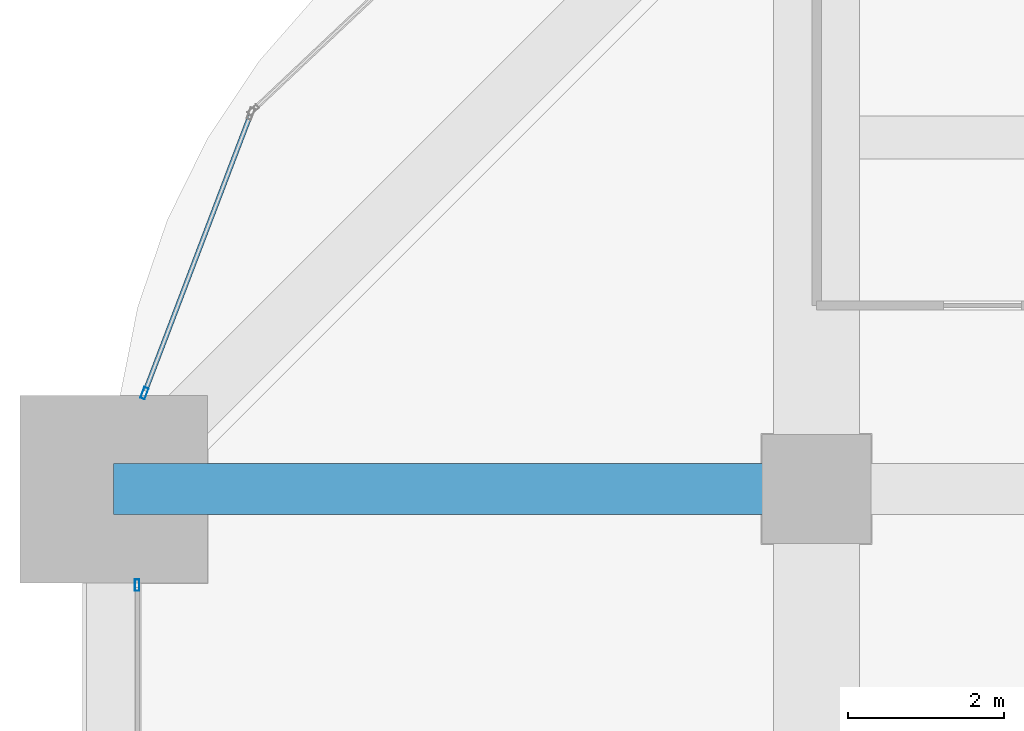
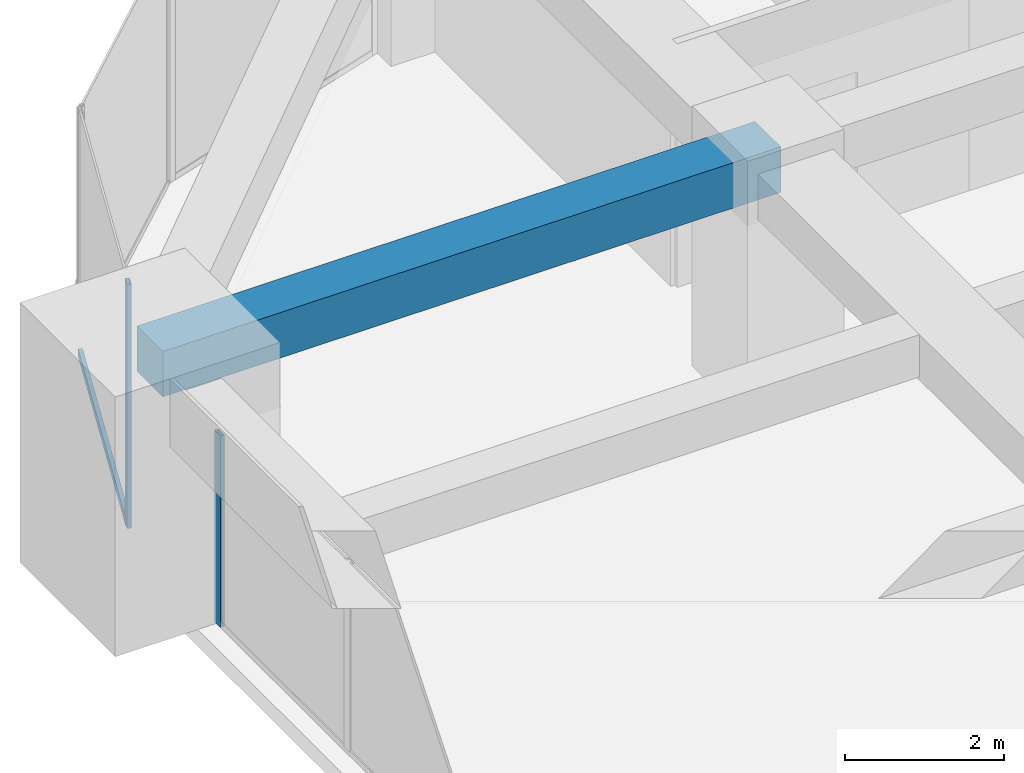
# One storey, part 20 of 33: 3 members, 1 beam, 2 elements without a shape of their own.
"""IFC4 building model written with IfcOpenShell, lengths in metres."""

import ifcopenshell
import ifcopenshell.guid

model = None  # the IFC model being written
_history = None  # IfcOwnerHistory: only IFC2X3 demands one
_inside = {}  # id of a spatial element -> (the spatial element, [elements in it])
_under = {}  # id of a project, library or spatial element -> (it, [spatial elements below it])
_declared = {}  # id of a project -> (the project, [libraries it declares])
_typed = {}  # id of a type object -> (the type object, [elements of that type])
_made_of = {}  # id of a material, layer set ... -> (it, [elements and type objects made of it])


def new_model(schema):
    """Start an empty IFC model of exactly this schema.

    Asked for "IFC4X3", IfcOpenShell would pick the latest addendum, in which some entities
    have other attributes; the version numbers below select the first issue.
    IFC2X3 requires an IfcOwnerHistory on every rooted entity: one is made here for all.
    """
    global model, _history
    if schema == "IFC4X3":
        model = ifcopenshell.file(schema_version=(4, 3, 0, 0))
    else:
        model = ifcopenshell.file(schema=schema)
    _inside.clear()
    _under.clear()
    _declared.clear()
    _typed.clear()
    _made_of.clear()
    _history = None
    if model.schema == "IFC2X3":
        org = make("IfcOrganization", Name="unknown")
        user = make(
            "IfcPersonAndOrganization",
            ThePerson=make("IfcPerson", FamilyName="unknown"),
            TheOrganization=org,
        )
        app = make(
            "IfcApplication",
            ApplicationDeveloper=org,
            Version="unknown",
            ApplicationFullName="unknown",
            ApplicationIdentifier="unknown",
        )
        _history = make(
            "IfcOwnerHistory",
            OwningUser=user,
            OwningApplication=app,
            ChangeAction="ADDED",
            CreationDate=0,
        )
    return model


def make(cls, **values):
    """One entity of the class cls with the attributes given. An attribute that is None is left unset."""
    return model.create_entity(
        cls, **{name: value for name, value in values.items() if value is not None}
    )


def rooted(cls, **values):
    """An entity with a GlobalId (a new one), such as an element, a storey or a relation."""
    return make(cls, GlobalId=ifcopenshell.guid.new(), OwnerHistory=_history, **values)


def si_unit(unit_type, name, prefix=None):
    """IfcSIUnit, for example si_unit("LENGTHUNIT", "METRE", prefix="MILLI")."""
    return make("IfcSIUnit", UnitType=unit_type, Prefix=prefix, Name=name)


def assignment(units):
    """IfcUnitAssignment: the units of a project."""
    return None if units is None else make("IfcUnitAssignment", Units=units)


def point(xyz):
    """IfcCartesianPoint."""
    return None if xyz is None else make("IfcCartesianPoint", Coordinates=xyz)


def direction(xyz):
    """IfcDirection."""
    return None if xyz is None else make("IfcDirection", DirectionRatios=xyz)


def frame(location, z_axis=None, x_axis=None):
    """IfcAxis2Placement3D, a coordinate frame: its origin and axes. An axis left out is left unset."""
    return make(
        "IfcAxis2Placement3D",
        Location=point(location),
        Axis=direction(z_axis),
        RefDirection=direction(x_axis),
    )


def frame_2d(location, x_axis=None):
    """IfcAxis2Placement2D, a coordinate frame in the plane: its origin and x axis."""
    return make(
        "IfcAxis2Placement2D", Location=point(location), RefDirection=direction(x_axis)
    )


def origin():
    """The frame at (0, 0, 0) with its axes left unset."""
    return frame((0.0, 0.0, 0.0))


def origin_2d():
    """The frame at (0, 0) in the plane with its x axis left unset."""
    return frame_2d((0.0, 0.0))


def place(relative_to, where):
    """IfcLocalPlacement: puts the frame where relative to a parent placement (None: the world)."""
    return make(
        "IfcLocalPlacement", PlacementRelTo=relative_to, RelativePlacement=where
    )


def context(
    kind, dimensions, precision=None, world=None, true_north=None, identifier=None
):
    """IfcGeometricRepresentationContext, for example the 3D "Model" context."""
    return make(
        "IfcGeometricRepresentationContext",
        ContextIdentifier=identifier,
        ContextType=kind,
        CoordinateSpaceDimension=dimensions,
        Precision=precision,
        WorldCoordinateSystem=world,
        TrueNorth=true_north,
    )


def subcontext(parent, identifier, kind, view, scale=None):
    """IfcGeometricRepresentationSubContext, for example "Body" below "Model"."""
    return make(
        "IfcGeometricRepresentationSubContext",
        ContextIdentifier=identifier,
        ContextType=kind,
        ParentContext=parent,
        TargetScale=scale,
        TargetView=view,
    )


def project(units=None, contexts=None):
    """IfcProject with its units and contexts."""
    return rooted(
        "IfcProject",
        Name="project",
        RepresentationContexts=contexts,
        UnitsInContext=assignment(units),
    )


def spatial(cls, under=None, at=None, **own):
    """A site, building, storey or space (cls), placed at a placement, below another one or the project."""
    s = rooted(cls, ObjectPlacement=at, **own)
    if under is not None:
        _under.setdefault(under.id(), (under, []))[1].append(s)
    return s


def profile(cls, at=None, kind="AREA", **sizes):
    """A parametric profile (cls). Its sizes go by their IFC names, for example OverallWidth=200.0."""
    return make(cls, ProfileType=kind, Position=at, **sizes)


def rectangle(**sizes):
    """IfcRectangleProfileDef."""
    return profile("IfcRectangleProfileDef", **sizes)


def hollow_rectangle(**sizes):
    """IfcRectangleHollowProfileDef."""
    return profile("IfcRectangleHollowProfileDef", **sizes)


def extrude(swept, where, along, depth):
    """IfcExtrudedAreaSolid: the profile swept, set in the frame where, extruded along a direction by depth."""
    return make(
        "IfcExtrudedAreaSolid",
        SweptArea=swept,
        Position=where,
        ExtrudedDirection=direction(along),
        Depth=depth,
    )


def shape(context_of_items, identifier, shape_type, items):
    """IfcShapeRepresentation: the items that make up one representation, for example the "Body"."""
    return make(
        "IfcShapeRepresentation",
        ContextOfItems=context_of_items,
        RepresentationIdentifier=identifier,
        RepresentationType=shape_type,
        Items=items,
    )


def material(Name=None, Category=None):
    """IfcMaterial."""
    return make("IfcMaterial", Name=Name, Category=Category)


def material_profile(
    of_material, cross_section, Name=None, Category=None, Priority=None
):
    """IfcMaterialProfile: a cross section and its material."""
    return make(
        "IfcMaterialProfile",
        Name=Name,
        Material=of_material,
        Profile=cross_section,
        Priority=Priority,
        Category=Category,
    )


def profile_set(profiles, Name=None, composite=None):
    """IfcMaterialProfileSet."""
    return make(
        "IfcMaterialProfileSet",
        Name=Name,
        MaterialProfiles=profiles,
        CompositeProfile=composite,
    )


def made_of(thing, what):
    """Note that an element or type object is made of a material, layer set ...; save() writes the relation."""
    if what is not None:
        _made_of.setdefault(what.id(), (what, []))[1].append(thing)
    return thing


def type_object(cls, material=None, **own):
    """A type object (cls), such as IfcWallType, which elements share."""
    return made_of(rooted(cls, **own), material)


def element(
    cls,
    number,
    at=None,
    inside=None,
    cuts=None,
    type_object=None,
    material=None,
    context=None,
    identifier="Body",
    shape_type=None,
    held_by="IfcProductDefinitionShape",
    body=None,
    shapes=None,
    **own,
):
    """One element of the class cls, such as IfcWall. Its Tag is "e" and its number.

    at: its placement. inside: the storey or other place that contains it. cuts: it is an
    opening in that element (IfcRelVoidsElement). A single representation is given by context,
    identifier, shape_type and body (its items); several are given by shapes. held_by: the class
    of the entity that holds the representations. save() writes the other relations.
    """
    e = rooted(cls, Tag="e%d" % number, ObjectPlacement=at, **own)
    if body is not None:
        shapes = [shape(context, identifier, shape_type, body)]
    if shapes is not None:
        e.Representation = make(held_by, Representations=shapes)
    if inside is not None:
        _inside.setdefault(inside.id(), (inside, []))[1].append(e)
    if cuts is not None:
        rooted(
            "IfcRelVoidsElement", RelatingBuildingElement=cuts, RelatedOpeningElement=e
        )
    if type_object is not None:
        _typed.setdefault(type_object.id(), (type_object, []))[1].append(e)
    return made_of(e, material)


def aggregate(whole, parts):
    """IfcRelAggregates: a whole, such as a stair, and the parts it consists of."""
    return rooted("IfcRelAggregates", RelatingObject=whole, RelatedObjects=parts)


def save(model, path):
    """Write the relations noted so far, then the file.

    IfcRelAggregates (storeys below a building ...), IfcRelContainedInSpatialStructure (elements
    in a storey), IfcRelDefinesByType, IfcRelAssociatesMaterial and IfcRelDeclares: one each for
    every whole, place, type object, material and project.
    """
    for whole, parts in _under.values():
        aggregate(whole, parts)
    for where, things in _inside.values():
        rooted(
            "IfcRelContainedInSpatialStructure",
            RelatedElements=things,
            RelatingStructure=where,
        )
    for kind, things in _typed.values():
        rooted("IfcRelDefinesByType", RelatedObjects=things, RelatingType=kind)
    for what, things in _made_of.values():
        rooted("IfcRelAssociatesMaterial", RelatedObjects=things, RelatingMaterial=what)
    for by, libraries in _declared.values():
        rooted("IfcRelDeclares", RelatingContext=by, RelatedDefinitions=libraries)
    model.write(path)


model = new_model("IFC4")

# Units and contexts
model_context = context("Model", 3, precision=1e-05, world=origin(), true_north=direction((0.0, 1.0)))
body_context = subcontext(model_context, "Body", "Model", "MODEL_VIEW")
ifc_project = project(units=[si_unit("LENGTHUNIT", "METRE"), si_unit("AREAUNIT", "SQUARE_METRE"), si_unit("VOLUMEUNIT", "CUBIC_METRE"), si_unit("PLANEANGLEUNIT", "RADIAN"), si_unit("MASSUNIT", "GRAM", prefix="KILO")], contexts=[model_context])

# Site, building, storey
site_placement = place(None, origin())
site = spatial("IfcSite", under=ifc_project, at=site_placement, CompositionType="ELEMENT")
building_placement = place(site_placement, origin())
building = spatial("IfcBuilding", under=site, at=building_placement, Name="Zorevar Civic Tower", CompositionType="ELEMENT")
storey_placement = place(building_placement, frame((0.0, 0.0, 206.199951171875)))
storey = spatial("IfcBuildingStorey", under=building, at=storey_placement, Name="L50", CompositionType="ELEMENT", Elevation=206.199951171875)

# Beam
ifc_material_1 = material(Name="Concrete C50/60", Category="concrete")
ifc_material_profile_1 = material_profile(ifc_material_1, rectangle(XDim=0.64990234375, YDim=0.699951171875, at=origin_2d()), Name="RC 650x700")
ifc_profile_set_1 = profile_set([ifc_material_profile_1], Name="Concrete C50/60")
beam_type = type_object("IfcBeamType", Name="Beam RC 650x700", PredefinedType="BEAM", material=ifc_profile_set_1)
beam_placement = place(storey_placement, frame((0.0, 36.0, 3.400146484375), z_axis=(1.0, 0.0, 0.0), x_axis=(0.0, 1.0, 0.0)))
element("IfcBeam", 1, at=beam_placement, inside=storey, type_object=beam_type, Name="Girder L51", PredefinedType="BEAM", context=body_context, shape_type="SweptSolid", body=[
    extrude(rectangle(XDim=0.64990234375, YDim=0.699951171875, at=origin_2d()), origin(), (0.0, 0.0, 1.0), 9.0),
])

# Curtain wall, member
ifc_material_2 = material(Name="Dark grey solar-control glass in black aluminium frame", Category="aluminium")
curtain_wall_type = type_object("IfcCurtainWallType", Name="Curtain wall CW4 high zone", PredefinedType="NOTDEFINED", material=ifc_material_2)
curtain_wall_1_placement = place(storey_placement, origin())
curtain_wall_1 = element("IfcCurtainWall", 2, at=curtain_wall_1_placement, inside=storey, type_object=curtain_wall_type, Name="CW4 L50", PredefinedType="NOTDEFINED")
ifc_material_3 = material(Name="Aluminium, black anodised", Category="aluminium")
ifc_material_profile_2 = material_profile(ifc_material_3, hollow_rectangle(XDim=0.06005859375, YDim=0.14990234375, WallThickness=0.00390625, at=origin_2d()), Name="AL 150x60x4")
ifc_profile_set_2 = profile_set([ifc_material_profile_2], Name="Aluminium, black anodised")
member_type_1 = type_object("IfcMemberType", Name="CW4 mullion AL 150x60x4", PredefinedType="MULLION", material=ifc_profile_set_2)
member_1_placement = place(storey_placement, frame((0.300048828125, 34.77001953125, 0.0), z_axis=(0.0, 0.0, 1.0), x_axis=(-1.0, 0.0, 0.0)))
member_1 = element("IfcMember", 3, at=member_1_placement, type_object=member_type_1, Name="CW4 mullion 3", PredefinedType="MULLION", context=body_context, shape_type="SweptSolid", body=[
    extrude(hollow_rectangle(XDim=0.06005859375, YDim=0.14990234375, WallThickness=0.00390625, at=origin_2d()), origin(), (0.0, 0.0, 1.0), 2.949951171875),
])
aggregate(curtain_wall_1, [member_1])

# Curtain wall, members
curtain_wall_2_placement = place(storey_placement, origin())
curtain_wall_2 = element("IfcCurtainWall", 4, at=curtain_wall_2_placement, inside=storey, type_object=curtain_wall_type, Name="CW4 L50", PredefinedType="NOTDEFINED")
member_2_placement = place(storey_placement, frame((0.393798828125, 37.22802734375, 0.0), z_axis=(0.0, 0.0, 1.0), x_axis=(0.93458842801, -0.355730895803, 0.0)))
member_2 = element("IfcMember", 5, at=member_2_placement, type_object=member_type_1, Name="CW4 mullion 2", PredefinedType="MULLION", context=body_context, shape_type="SweptSolid", body=[
    extrude(hollow_rectangle(XDim=0.06005859375, YDim=0.14990234375, WallThickness=0.00390625, at=origin_2d()), origin(), (0.0, 0.0, 1.0), 3.75),
])
ifc_material_4 = material(Name="Aluminium, black anodised", Category="aluminium")
ifc_material_profile_3 = material_profile(ifc_material_4, hollow_rectangle(XDim=0.06005859375, YDim=0.1201171875, WallThickness=0.0029296875, at=origin_2d()), Name="AL 120x60x3")
ifc_profile_set_3 = profile_set([ifc_material_profile_3], Name="Aluminium, black anodised")
member_type_2 = type_object("IfcMemberType", Name="CW4 transom AL 120x60x3", PredefinedType="USERDEFINED", material=ifc_profile_set_3)
member_3_placement = place(storey_placement, frame((1.74462890625, 40.77685546875, 0.030029296875), z_axis=(-0.355728511406, -0.934589335576, 0.0), x_axis=(0.934589335576, -0.355728511406, 0.0)))
member_3 = element("IfcMember", 6, at=member_3_placement, type_object=member_type_2, Name="CW4 sill transom", ObjectType="TRANSOM", PredefinedType="USERDEFINED", context=body_context, shape_type="SweptSolid", body=[
    extrude(hollow_rectangle(XDim=0.06005859375, YDim=0.1201171875, WallThickness=0.0029296875, at=origin_2d()), origin(), (0.0, 0.0, 1.0), 3.76708984375),
])
aggregate(curtain_wall_2, [member_2, member_3])

save(model, "model.ifc")
